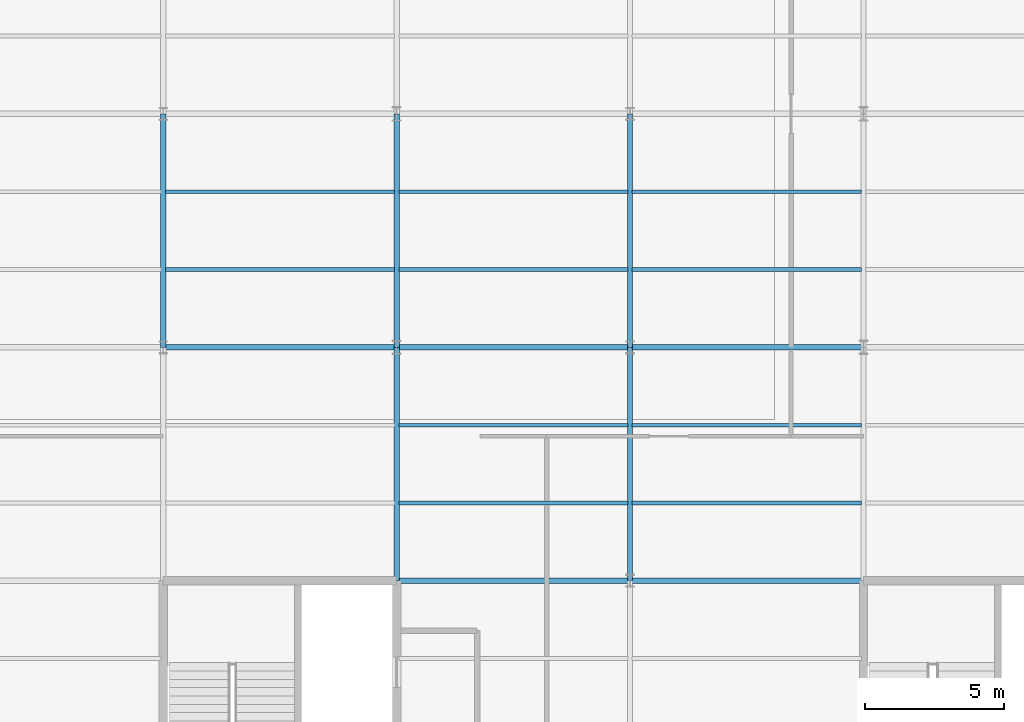
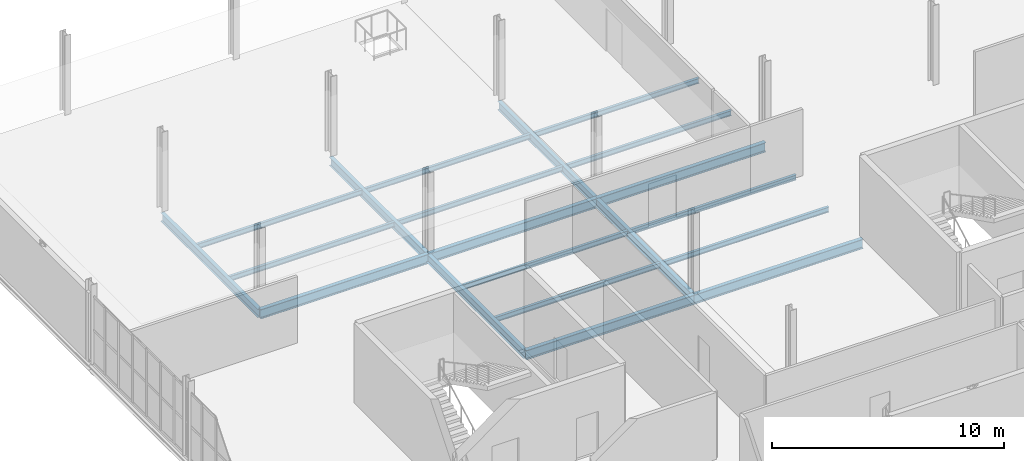
# One storey, part 23 of 69: 20 beams.
"""IFC4 building model written with IfcOpenShell, lengths in metres."""

from ifc_helpers import new_model, si_unit, direction, frame, origin, origin_2d, place, context, subcontext, project, spatial, i_section, extrude, material, material_profile, profile_set, type_object, element, save


model = new_model("IFC4")

# Units and contexts
model_context = context("Model", 3, precision=1e-05, world=origin(), true_north=direction((0.0, 1.0)))
body_context = subcontext(model_context, "Body", "Model", "MODEL_VIEW")
ifc_project = project(units=[si_unit("LENGTHUNIT", "METRE"), si_unit("AREAUNIT", "SQUARE_METRE"), si_unit("VOLUMEUNIT", "CUBIC_METRE"), si_unit("PLANEANGLEUNIT", "RADIAN"), si_unit("MASSUNIT", "GRAM", prefix="KILO")], contexts=[model_context])

# Site, building, storey
site_placement = place(None, origin())
site = spatial("IfcSite", under=ifc_project, at=site_placement, CompositionType="ELEMENT")
building_placement = place(site_placement, origin())
building = spatial("IfcBuilding", under=site, at=building_placement, Name="Qalvenar Corner Mobility Hub", CompositionType="ELEMENT")
storey_placement = place(building_placement, frame((0.0, 0.0, 13.199951171875)))
storey = spatial("IfcBuildingStorey", under=building, at=storey_placement, Name="L03", CompositionType="ELEMENT", Elevation=13.199951171875)

# Beams
ifc_material = material(Name="Steel S355", Category="steel")
ifc_material_profile_1 = material_profile(ifc_material, i_section(OverallWidth=0.18994140625, OverallDepth=0.449951171875, WebThickness=0.009521484375, FlangeThickness=0.0146484375, FilletRadius=0.02099609375, at=origin_2d()), Name="IPE450")
ifc_profile_set_1 = profile_set([ifc_material_profile_1], Name="Steel S355")
beam_type_1 = type_object("IfcBeamType", Name="BM-IPE450", PredefinedType="BEAM", material=ifc_profile_set_1)
beam_1_placement = place(storey_placement, frame((8.39990234375, 25.199951171875, -0.405029296875), z_axis=(0.0, 1.0, 0.0), x_axis=(-1.0, 0.0, 0.0)))
element("IfcBeam", 1, at=beam_1_placement, inside=storey, type_object=beam_type_1, Name="Primary Steel Girder GY-2232", PredefinedType="BEAM", context=body_context, shape_type="SweptSolid", body=[
    extrude(i_section(OverallWidth=0.18994140625, OverallDepth=0.449951171875, WebThickness=0.009521484375, FlangeThickness=0.0146484375, FilletRadius=0.02099609375, at=origin_2d()), origin(), (0.0, 0.0, 1.0), 8.400146484375),
])
beam_2_placement = place(storey_placement, frame((16.800048828125, 16.800048828125, -0.405029296875), z_axis=(0.0, 1.0, 0.0), x_axis=(-1.0, 0.0, 0.0)))
element("IfcBeam", 2, at=beam_2_placement, inside=storey, type_object=beam_type_1, Name="Primary Steel Girder GY-2236", PredefinedType="BEAM", context=body_context, shape_type="SweptSolid", body=[
    extrude(i_section(OverallWidth=0.18994140625, OverallDepth=0.449951171875, WebThickness=0.009521484375, FlangeThickness=0.0146484375, FilletRadius=0.02099609375, at=origin_2d()), origin(), (0.0, 0.0, 1.0), 8.39990234375),
])
beam_3_placement = place(storey_placement, frame((16.800048828125, 25.199951171875, -0.405029296875), z_axis=(0.0, 1.0, 0.0), x_axis=(-1.0, 0.0, 0.0)))
element("IfcBeam", 3, at=beam_3_placement, inside=storey, type_object=beam_type_1, Name="Primary Steel Girder GY-2237", PredefinedType="BEAM", context=body_context, shape_type="SweptSolid", body=[
    extrude(i_section(OverallWidth=0.18994140625, OverallDepth=0.449951171875, WebThickness=0.009521484375, FlangeThickness=0.0146484375, FilletRadius=0.02099609375, at=origin_2d()), origin(), (0.0, 0.0, 1.0), 8.400146484375),
])
beam_4_placement = place(storey_placement, frame((25.199951171875, 16.800048828125, -0.405029296875), z_axis=(0.0, 1.0, 0.0), x_axis=(-1.0, 0.0, 0.0)))
element("IfcBeam", 4, at=beam_4_placement, inside=storey, type_object=beam_type_1, Name="Primary Steel Girder GY-2241", PredefinedType="BEAM", context=body_context, shape_type="SweptSolid", body=[
    extrude(i_section(OverallWidth=0.18994140625, OverallDepth=0.449951171875, WebThickness=0.009521484375, FlangeThickness=0.0146484375, FilletRadius=0.02099609375, at=origin_2d()), origin(), (0.0, 0.0, 1.0), 8.39990234375),
])
beam_5_placement = place(storey_placement, frame((25.199951171875, 25.199951171875, -0.405029296875), z_axis=(0.0, 1.0, 0.0), x_axis=(-1.0, 0.0, 0.0)))
element("IfcBeam", 5, at=beam_5_placement, inside=storey, type_object=beam_type_1, Name="Primary Steel Girder GY-2242", PredefinedType="BEAM", context=body_context, shape_type="SweptSolid", body=[
    extrude(i_section(OverallWidth=0.18994140625, OverallDepth=0.449951171875, WebThickness=0.009521484375, FlangeThickness=0.0146484375, FilletRadius=0.02099609375, at=origin_2d()), origin(), (0.0, 0.0, 1.0), 8.400146484375),
])
ifc_material_profile_2 = material_profile(ifc_material, i_section(OverallWidth=0.199951171875, OverallDepth=0.5, WebThickness=0.01025390625, FlangeThickness=0.01611328125, FilletRadius=0.02099609375, at=origin_2d()), Name="IPE500")
ifc_profile_set_2 = profile_set([ifc_material_profile_2], Name="Steel S355")
beam_type_2 = type_object("IfcBeamType", Name="BM-IPE500", PredefinedType="BEAM", material=ifc_profile_set_2)
beam_6_placement = place(storey_placement, frame((16.800048828125, 16.800048828125, -0.429931640625), z_axis=(1.0, 0.0, 0.0), x_axis=(0.0, 1.0, 0.0)))
element("IfcBeam", 6, at=beam_6_placement, inside=storey, type_object=beam_type_2, Name="Primary Steel Girder GX-2202", PredefinedType="BEAM", context=body_context, shape_type="SweptSolid", body=[
    extrude(i_section(OverallWidth=0.199951171875, OverallDepth=0.5, WebThickness=0.01025390625, FlangeThickness=0.01611328125, FilletRadius=0.02099609375, at=origin_2d()), origin(), (0.0, 0.0, 1.0), 8.39990234375),
])
for number, where, z_axis, x_axis, name in (
    (7, (25.199951171875, 16.800048828125, -0.429931640625), (1.0, 0.0, 0.0), (0.0, 1.0, 0.0), "Primary Steel Girder GX-2203"),
    (8, (8.39990234375, 25.199951171875, -0.429931640625), (1.0, 0.0, 0.0), (0.0, 1.0, 0.0), "Primary Steel Girder GX-2207"),
):
    element("IfcBeam", number, at=place(storey_placement, frame(where, z_axis=z_axis, x_axis=x_axis)), inside=storey, type_object=beam_type_2, Name=name, PredefinedType="BEAM", context=body_context, shape_type="SweptSolid", body=[
        extrude(i_section(OverallWidth=0.199951171875, OverallDepth=0.5, WebThickness=0.01025390625, FlangeThickness=0.01611328125, FilletRadius=0.02099609375, at=origin_2d()), origin(), (0.0, 0.0, 1.0), 8.400146484375),
    ])
beam_7_placement = place(storey_placement, frame((16.800048828125, 25.199951171875, -0.429931640625), z_axis=(1.0, 0.0, 0.0), x_axis=(0.0, 1.0, 0.0)))
element("IfcBeam", 9, at=beam_7_placement, inside=storey, type_object=beam_type_2, Name="Primary Steel Girder GX-2208", PredefinedType="BEAM", context=body_context, shape_type="SweptSolid", body=[
    extrude(i_section(OverallWidth=0.199951171875, OverallDepth=0.5, WebThickness=0.01025390625, FlangeThickness=0.01611328125, FilletRadius=0.02099609375, at=origin_2d()), origin(), (0.0, 0.0, 1.0), 8.39990234375),
])
beam_8_placement = place(storey_placement, frame((25.199951171875, 25.199951171875, -0.429931640625), z_axis=(1.0, 0.0, 0.0), x_axis=(0.0, 1.0, 0.0)))
element("IfcBeam", 10, at=beam_8_placement, inside=storey, type_object=beam_type_2, Name="Primary Steel Girder GX-2209", PredefinedType="BEAM", context=body_context, shape_type="SweptSolid", body=[
    extrude(i_section(OverallWidth=0.199951171875, OverallDepth=0.5, WebThickness=0.01025390625, FlangeThickness=0.01611328125, FilletRadius=0.02099609375, at=origin_2d()), origin(), (0.0, 0.0, 1.0), 8.400146484375),
])
ifc_material_profile_3 = material_profile(ifc_material, i_section(OverallWidth=0.135009765625, OverallDepth=0.27001953125, WebThickness=0.006591796875, FlangeThickness=0.01025390625, FilletRadius=0.014892578125, at=origin_2d()), Name="IPE270")
ifc_profile_set_3 = profile_set([ifc_material_profile_3], Name="Steel S355")
beam_type_3 = type_object("IfcBeamType", Name="BM-JST270", PredefinedType="JOIST", material=ifc_profile_set_3)
for number, where, z_axis, x_axis, name in (
    (11, (8.47802734375, 28.0, -0.31494140625), (1.0, 0.0, 0.0), (0.0, 1.0, 0.0), "Composite Floor Joist J-2274"),
    (12, (8.47802734375, 30.800048828125, -0.31494140625), (1.0, 0.0, 0.0), (0.0, 1.0, 0.0), "Composite Floor Joist J-2275"),
):
    element("IfcBeam", number, at=place(storey_placement, frame(where, z_axis=z_axis, x_axis=x_axis)), inside=storey, type_object=beam_type_3, Name=name, PredefinedType="JOIST", context=body_context, shape_type="SweptSolid", body=[
        extrude(i_section(OverallWidth=0.135009765625, OverallDepth=0.27001953125, WebThickness=0.006591796875, FlangeThickness=0.01025390625, FilletRadius=0.014892578125, at=origin_2d()), origin(), (0.0, 0.0, 1.0), 8.243896484375),
    ])
for number, where, z_axis, x_axis, name in (
    (13, (16.8779296875, 19.60009765625, -0.31494140625), (1.0, 0.0, 0.0), (0.0, 1.0, 0.0), "Composite Floor Joist J-2282"),
    (14, (16.8779296875, 22.39990234375, -0.31494140625), (1.0, 0.0, 0.0), (0.0, 1.0, 0.0), "Composite Floor Joist J-2283"),
    (15, (16.8779296875, 28.0, -0.31494140625), (1.0, 0.0, 0.0), (0.0, 1.0, 0.0), "Composite Floor Joist J-2284"),
    (16, (16.8779296875, 30.800048828125, -0.31494140625), (1.0, 0.0, 0.0), (0.0, 1.0, 0.0), "Composite Floor Joist J-2285"),
):
    element("IfcBeam", number, at=place(storey_placement, frame(where, z_axis=z_axis, x_axis=x_axis)), inside=storey, type_object=beam_type_3, Name=name, PredefinedType="JOIST", context=body_context, shape_type="SweptSolid", body=[
        extrude(i_section(OverallWidth=0.135009765625, OverallDepth=0.27001953125, WebThickness=0.006591796875, FlangeThickness=0.01025390625, FilletRadius=0.014892578125, at=origin_2d()), origin(), (0.0, 0.0, 1.0), 8.244140625),
    ])
for number, where, z_axis, x_axis, name in (
    (17, (25.278076171875, 19.60009765625, -0.31494140625), (1.0, 0.0, 0.0), (0.0, 1.0, 0.0), "Composite Floor Joist J-2292"),
    (18, (25.278076171875, 22.39990234375, -0.31494140625), (1.0, 0.0, 0.0), (0.0, 1.0, 0.0), "Composite Floor Joist J-2293"),
    (19, (25.278076171875, 28.0, -0.31494140625), (1.0, 0.0, 0.0), (0.0, 1.0, 0.0), "Composite Floor Joist J-2294"),
    (20, (25.278076171875, 30.800048828125, -0.31494140625), (1.0, 0.0, 0.0), (0.0, 1.0, 0.0), "Composite Floor Joist J-2295"),
):
    element("IfcBeam", number, at=place(storey_placement, frame(where, z_axis=z_axis, x_axis=x_axis)), inside=storey, type_object=beam_type_3, Name=name, PredefinedType="JOIST", context=body_context, shape_type="SweptSolid", body=[
        extrude(i_section(OverallWidth=0.135009765625, OverallDepth=0.27001953125, WebThickness=0.006591796875, FlangeThickness=0.01025390625, FilletRadius=0.014892578125, at=origin_2d()), origin(), (0.0, 0.0, 1.0), 8.243896484375),
    ])

save(model, "model.ifc")
